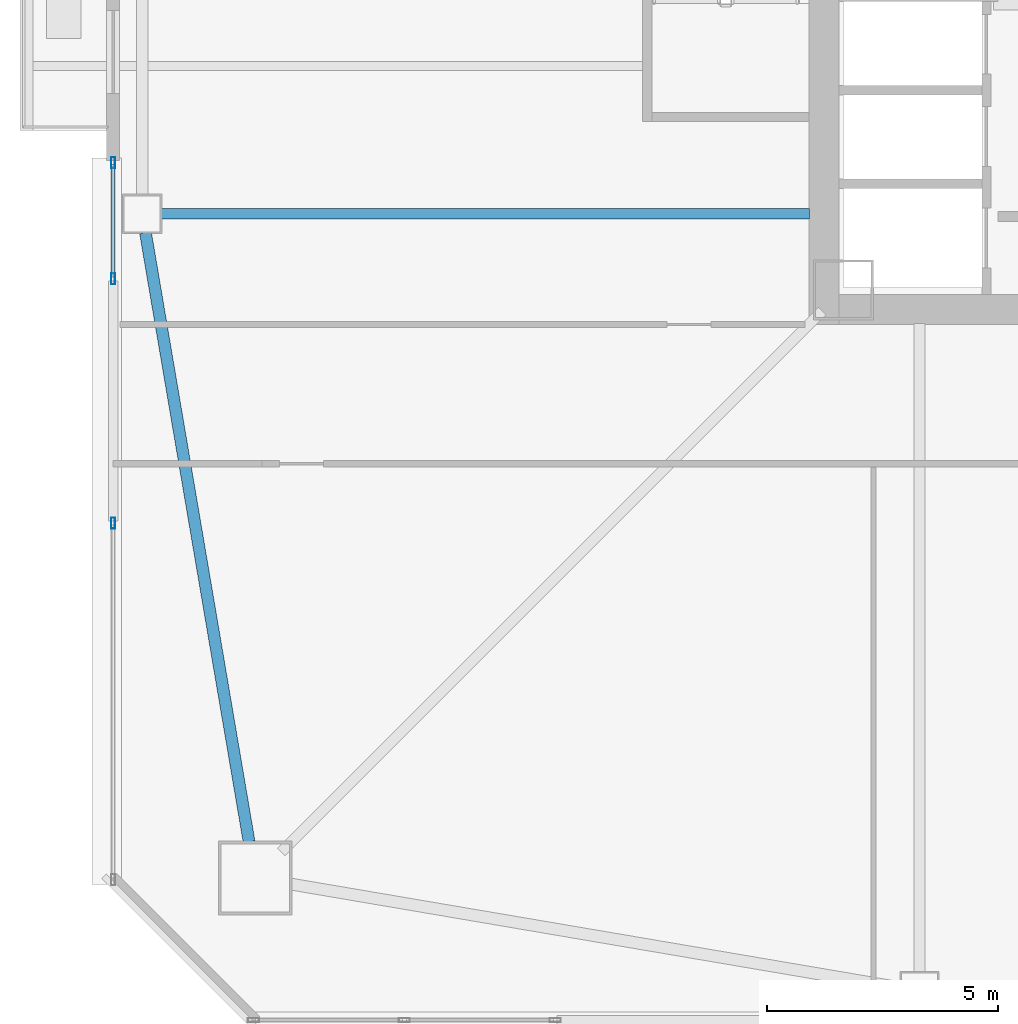
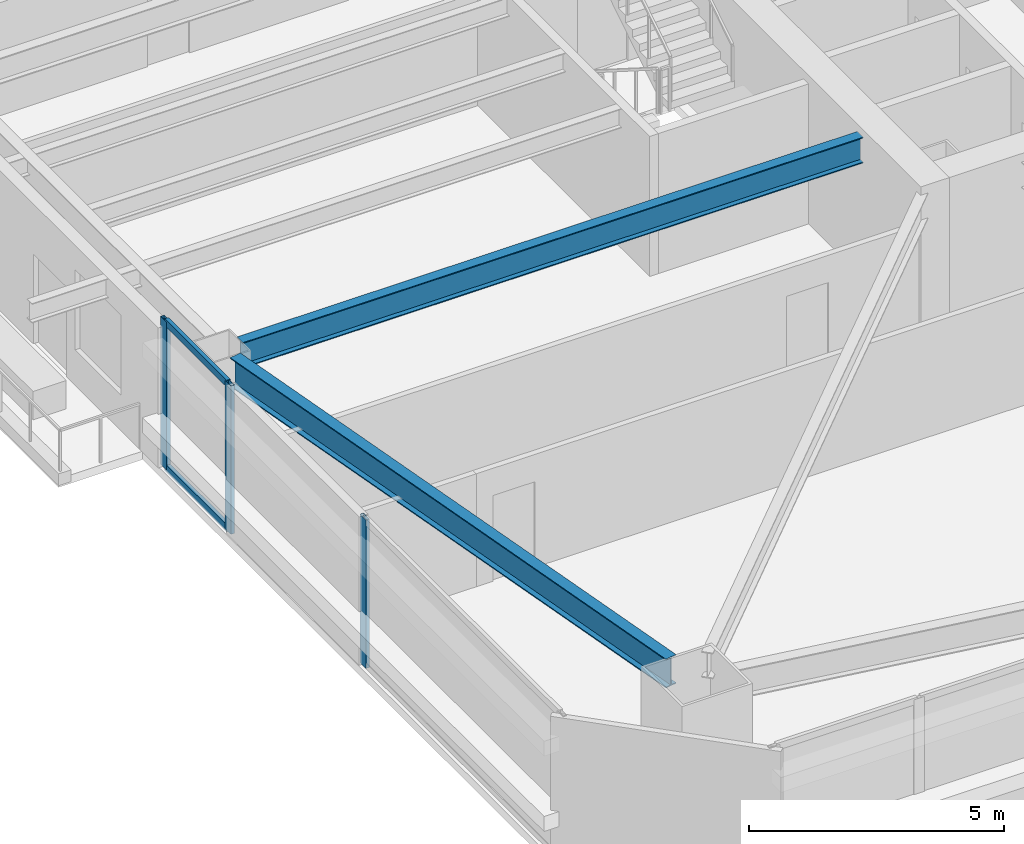
# One storey, part 6 of 47: 5 members, 2 beams, 2 elements without a shape of their own.
"""IFC4 building model written with IfcOpenShell, lengths in metres."""

from ifc_helpers import new_model, si_unit, direction, frame, origin, origin_2d, place, context, subcontext, project, spatial, hollow_rectangle, i_section, extrude, material, material_profile, profile_set, type_object, element, aggregate, save


model = new_model("IFC4")

# Units and contexts
model_context = context("Model", 3, precision=1e-05, world=origin(), true_north=direction((0.0, 1.0)))
body_context = subcontext(model_context, "Body", "Model", "MODEL_VIEW")
ifc_project = project(units=[si_unit("LENGTHUNIT", "METRE"), si_unit("AREAUNIT", "SQUARE_METRE"), si_unit("VOLUMEUNIT", "CUBIC_METRE"), si_unit("PLANEANGLEUNIT", "RADIAN"), si_unit("MASSUNIT", "GRAM", prefix="KILO")], contexts=[model_context])

# Site, building, storey
site_placement = place(None, origin())
site = spatial("IfcSite", under=ifc_project, at=site_placement, CompositionType="ELEMENT")
building_placement = place(site_placement, origin())
building = spatial("IfcBuilding", under=site, at=building_placement, Name="Tashvorn Skyway Center", CompositionType="ELEMENT")
storey_placement = place(building_placement, frame((0.0, 0.0, 42.35009765625)))
storey = spatial("IfcBuildingStorey", under=building, at=storey_placement, Name="L10", CompositionType="ELEMENT", Elevation=42.35009765625)

# Beams
ifc_material_1 = material(Name="Steel ASTM A992 Grade 50", Category="steel")
ifc_material_profile_1 = material_profile(ifc_material_1, i_section(OverallWidth=0.22998046875, OverallDepth=0.616943359375, WebThickness=0.01318359375, FlangeThickness=0.022216796875, at=origin_2d()), Name="W24X94")
ifc_profile_set_1 = profile_set([ifc_material_profile_1], Name="Steel ASTM A992 Grade 50")
beam_type_1 = type_object("IfcBeamType", Name="BM-BEAM-W24X94", PredefinedType="BEAM", material=ifc_profile_set_1)
beam_1_placement = place(storey_placement, frame((20.169921875, 26.60009765625, 3.04150390625), z_axis=(1.0, 0.0, 0.0), x_axis=(0.0, 1.0, 0.0)))
element("IfcBeam", 1, at=beam_1_placement, inside=storey, type_object=beam_type_1, Name="Tower 1 L10 Primary Floor Girder FC-W2", PredefinedType="BEAM", context=body_context, shape_type="SweptSolid", body=[
    extrude(i_section(OverallWidth=0.22998046875, OverallDepth=0.616943359375, WebThickness=0.01318359375, FlangeThickness=0.022216796875, at=origin_2d()), origin(), (0.0, 0.0, 1.0), 14.050048828125),
])
ifc_material_profile_2 = material_profile(ifc_material_1, i_section(OverallWidth=0.256103515625, OverallDepth=0.693115234375, WebThickness=0.014404296875, FlangeThickness=0.023681640625, at=origin_2d()), Name="W27X114")
ifc_profile_set_2 = profile_set([ifc_material_profile_2], Name="Steel ASTM A992 Grade 50")
beam_type_2 = type_object("IfcBeamType", Name="BM-SPANDREL-W27X114", PredefinedType="SPANDREL", material=ifc_profile_set_2)
beam_2_placement = place(storey_placement, frame((19.820556640625, 26.18603515625, 3.00341796875), z_axis=(0.16771792509, -0.985835025551, 0.0), x_axis=(0.985835025551, 0.16771792509, 0.0)))
element("IfcBeam", 2, at=beam_2_placement, inside=storey, type_object=beam_type_2, Name="Tower 1 L10 Spandrel Beam 12", PredefinedType="SPANDREL", context=body_context, shape_type="SweptSolid", body=[
    extrude(i_section(OverallWidth=0.256103515625, OverallDepth=0.693115234375, WebThickness=0.014404296875, FlangeThickness=0.023681640625, at=origin_2d()), origin(), (0.0, 0.0, 1.0), 13.39208984375),
])

# Curtain wall, member
ifc_material_2 = material(Name="Thermally broken bronze-anodized aluminium 6063-T6", Category="aluminium")
curtain_wall_type = type_object("IfcCurtainWallType", Name="CW-CW-Z1", PredefinedType="NOTDEFINED", material=ifc_material_2)
curtain_wall_1_placement = place(storey_placement, origin())
curtain_wall_1 = element("IfcCurtainWall", 3, at=curtain_wall_1_placement, inside=storey, type_object=curtain_wall_type, Name="Tower 1 L10 West Curtain Wall L Glazing Group 1", PredefinedType="NOTDEFINED")
ifc_material_profile_3 = material_profile(ifc_material_2, hollow_rectangle(XDim=0.0849609375, YDim=0.239990234375, WallThickness=0.0048828125, at=origin_2d()), Name="ALU-MULL-85x240")
ifc_profile_set_3 = profile_set([ifc_material_profile_3], Name="Thermally broken bronze-anodized aluminium 6063-T6")
member_type_1 = type_object("IfcMemberType", Name="CWM-CW-Z1", PredefinedType="MULLION", material=ifc_profile_set_3)
member_1_placement = place(storey_placement, frame((19.1201171875, 19.892578125, 0.0), z_axis=(0.0, 0.0, 1.0), x_axis=(-1.0, 0.0, 0.0)))
member_1 = element("IfcMember", 4, at=member_1_placement, type_object=member_type_1, Name="CW-Z1 mullion 2", PredefinedType="MULLION", context=body_context, shape_type="SweptSolid", body=[
    extrude(hollow_rectangle(XDim=0.0849609375, YDim=0.239990234375, WallThickness=0.0048828125, at=origin_2d()), origin(), (0.0, 0.0, 1.0), 3.5498046875),
])
aggregate(curtain_wall_1, [member_1])

# Curtain wall, members
curtain_wall_2_placement = place(storey_placement, origin())
curtain_wall_2 = element("IfcCurtainWall", 5, at=curtain_wall_2_placement, inside=storey, type_object=curtain_wall_type, Name="Tower 1 L10 West Curtain Wall L Glazing Group 2", PredefinedType="NOTDEFINED")
member_2_placement = place(storey_placement, frame((19.1201171875, 25.1875, 0.0), z_axis=(0.0, 0.0, 1.0), x_axis=(-1.0, 0.0, 0.0)))
member_2 = element("IfcMember", 6, at=member_2_placement, type_object=member_type_1, Name="CW-Z1 mullion 1", PredefinedType="MULLION", context=body_context, shape_type="SweptSolid", body=[
    extrude(hollow_rectangle(XDim=0.0849609375, YDim=0.239990234375, WallThickness=0.0048828125, at=origin_2d()), origin(), (0.0, 0.0, 1.0), 3.5498046875),
])
member_3_placement = place(storey_placement, frame((19.1201171875, 27.70751953125, 0.0), z_axis=(0.0, 0.0, 1.0), x_axis=(-1.0, 0.0, 0.0)))
member_3 = element("IfcMember", 7, at=member_3_placement, type_object=member_type_1, Name="CW-Z1 mullion 2", PredefinedType="MULLION", context=body_context, shape_type="SweptSolid", body=[
    extrude(hollow_rectangle(XDim=0.0849609375, YDim=0.239990234375, WallThickness=0.0048828125, at=origin_2d()), origin(), (0.0, 0.0, 1.0), 3.5498046875),
])
ifc_material_profile_4 = material_profile(ifc_material_2, hollow_rectangle(XDim=0.0849609375, YDim=0.1650390625, WallThickness=0.0048828125, at=origin_2d()), Name="ALU-TRAN-85x165")
ifc_profile_set_4 = profile_set([ifc_material_profile_4], Name="Thermally broken bronze-anodized aluminium 6063-T6")
member_type_2 = type_object("IfcMemberType", Name="CWT-CW-Z1", PredefinedType="USERDEFINED", material=ifc_profile_set_4)
member_4_placement = place(storey_placement, frame((19.1201171875, 25.22998046875, 0.04248046875), z_axis=(0.0, 1.0, 0.0), x_axis=(-1.0, 0.0, 0.0)))
member_4 = element("IfcMember", 8, at=member_4_placement, type_object=member_type_2, Name="CW-Z1 transom 1.1", ObjectType="TRANSOM", PredefinedType="USERDEFINED", context=body_context, shape_type="SweptSolid", body=[
    extrude(hollow_rectangle(XDim=0.0849609375, YDim=0.1650390625, WallThickness=0.0048828125, at=origin_2d()), origin(), (0.0, 0.0, 1.0), 2.43505859375),
])
member_5_placement = place(storey_placement, frame((19.1201171875, 25.22998046875, 3.50732421875), z_axis=(0.0, 1.0, 0.0), x_axis=(-1.0, 0.0, 0.0)))
member_5 = element("IfcMember", 9, at=member_5_placement, type_object=member_type_2, Name="CW-Z1 transom 1.2", ObjectType="TRANSOM", PredefinedType="USERDEFINED", context=body_context, shape_type="SweptSolid", body=[
    extrude(hollow_rectangle(XDim=0.0849609375, YDim=0.1650390625, WallThickness=0.0048828125, at=origin_2d()), origin(), (0.0, 0.0, 1.0), 2.43505859375),
])
aggregate(curtain_wall_2, [member_2, member_3, member_4, member_5])

save(model, "model.ifc")
